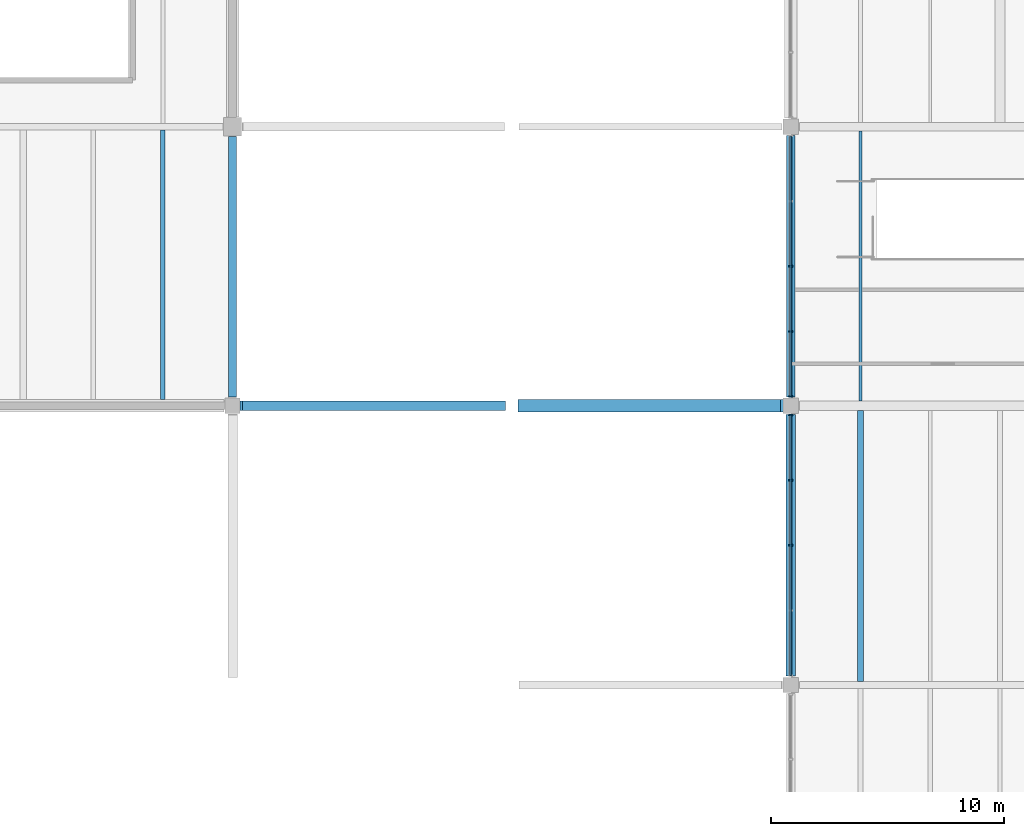
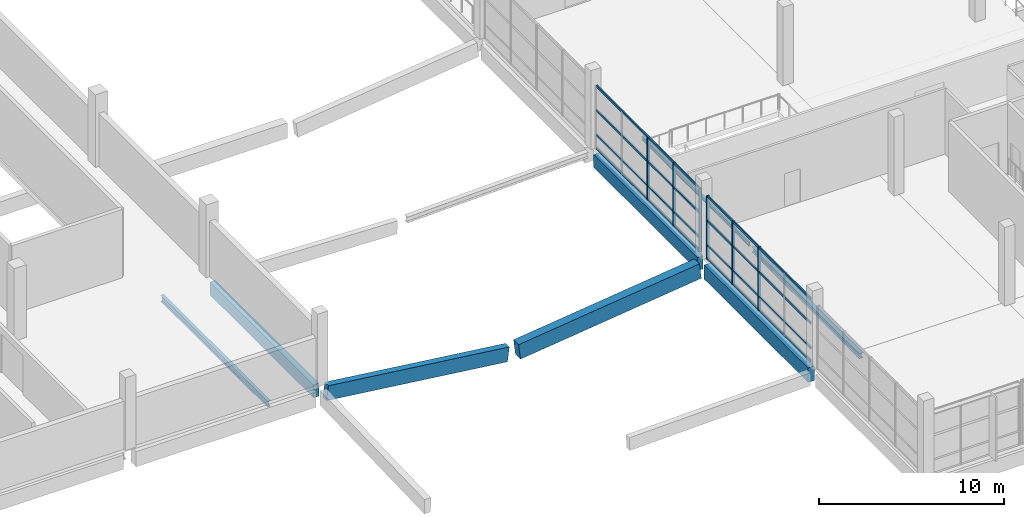
# One storey, part 18 of 112: 14 members, 8 beams, 2 elements without a shape of their own.
"""IFC4 building model written with IfcOpenShell, lengths in metres."""

from ifc_helpers import new_model, si_unit, direction, frame, origin, origin_2d, place, context, subcontext, project, spatial, rectangle, i_section, extrude, material, material_profile, profile_set, type_object, element, aggregate, save


model = new_model("IFC4")

# Units and contexts
model_context = context("Model", 3, precision=1e-05, world=origin(), true_north=direction((0.0, 1.0)))
body_context = subcontext(model_context, "Body", "Model", "MODEL_VIEW")
ifc_project = project(units=[si_unit("LENGTHUNIT", "METRE"), si_unit("AREAUNIT", "SQUARE_METRE"), si_unit("VOLUMEUNIT", "CUBIC_METRE"), si_unit("PLANEANGLEUNIT", "RADIAN"), si_unit("MASSUNIT", "GRAM", prefix="KILO")], contexts=[model_context])

# Site, building, storey
site_placement = place(None, origin())
site = spatial("IfcSite", under=ifc_project, at=site_placement, CompositionType="ELEMENT")
building_placement = place(site_placement, origin())
building = spatial("IfcBuilding", under=site, at=building_placement, Name="Kamomehara Wholesale Market", CompositionType="ELEMENT")
storey_placement = place(building_placement, frame((0.0, 0.0, 6.60009765625)))
storey = spatial("IfcBuildingStorey", under=building, at=storey_placement, Name="L01", CompositionType="ELEMENT", Elevation=6.60009765625)

# Beams
ifc_material_1 = material(Name="Concrete Fc36 (C35/45)", Category="concrete")
ifc_material_profile_1 = material_profile(ifc_material_1, rectangle(XDim=0.550048828125, YDim=1.0, at=origin_2d()), Name="RC-SEB-550x1000")
ifc_profile_set_1 = profile_set([ifc_material_profile_1], Name="Concrete Fc36 (C35/45)")
beam_type_1 = type_object("IfcBeamType", Name="BM-SEB1000-EXT", PredefinedType="SPANDREL", material=ifc_profile_set_1)
beam_1_placement = place(storey_placement, frame((48.324951171875, 36.0, -2.14599609375), z_axis=(0.992520407394, 0.0, 0.122078830707), x_axis=(0.0, 1.0, 0.0)))
element("IfcBeam", 1, at=beam_1_placement, inside=storey, type_object=beam_type_1, Name="Beam SEB-03E L01", PredefinedType="SPANDREL", context=body_context, shape_type="SweptSolid", body=[
    extrude(rectangle(XDim=0.550048828125, YDim=1.0, at=origin_2d()), origin(), (0.0, 0.0, 1.0), 11.38525390625),
])
ifc_material_2 = material(Name="Precast concrete Fc45 (C40/50)", Category="concrete")
ifc_material_profile_2 = material_profile(ifc_material_2, rectangle(XDim=0.35009765625, YDim=0.85009765625, at=origin_2d()), Name="PC-SPN-350x850")
ifc_profile_set_2 = profile_set([ifc_material_profile_2], Name="Precast concrete Fc45 (C40/50)")
beam_type_2 = type_object("IfcBeamType", Name="BM-SPN850-EXT", PredefinedType="SPANDREL", material=ifc_profile_set_2)
beam_2_placement = place(storey_placement, frame((36.0, 36.375, -0.76708984375), z_axis=(0.0, 1.0, 0.0), x_axis=(-1.0, 0.0, 0.0)))
element("IfcBeam", 2, at=beam_2_placement, inside=storey, type_object=beam_type_2, Name="Beam SPN-02E L01", PredefinedType="SPANDREL", context=body_context, shape_type="SweptSolid", body=[
    extrude(rectangle(XDim=0.35009765625, YDim=0.85009765625, at=origin_2d()), origin(), (0.0, 0.0, 1.0), 11.199951171875),
])
beam_3_placement = place(storey_placement, frame((60.0, 36.375, -0.76708984375), z_axis=(0.0, 1.0, 0.0), x_axis=(-1.0, 0.0, 0.0)))
element("IfcBeam", 3, at=beam_3_placement, inside=storey, type_object=beam_type_2, Name="Beam SPN-02E L01", PredefinedType="SPANDREL", context=body_context, shape_type="SweptSolid", body=[
    extrude(rectangle(XDim=0.35009765625, YDim=0.85009765625, at=origin_2d()), origin(), (0.0, 0.0, 1.0), 11.25),
])
ifc_material_3 = material(Name="Precast concrete Fc45 (C40/50)", Category="concrete")
ifc_material_profile_3 = material_profile(ifc_material_3, rectangle(XDim=0.39990234375, YDim=0.949951171875, at=origin_2d()), Name="PC-SPN-400x950")
ifc_profile_set_3 = profile_set([ifc_material_profile_3], Name="Precast concrete Fc45 (C40/50)")
beam_type_3 = type_object("IfcBeamType", Name="BM-SPN950-EXT", PredefinedType="SPANDREL", material=ifc_profile_set_3)
beam_4_placement = place(storey_placement, frame((60.0, 24.375, -0.817138671875), z_axis=(0.0, 1.0, 0.0), x_axis=(-1.0, 0.0, 0.0)))
element("IfcBeam", 4, at=beam_4_placement, inside=storey, type_object=beam_type_3, Name="Beam SPN-01E L01", PredefinedType="SPANDREL", context=body_context, shape_type="SweptSolid", body=[
    extrude(rectangle(XDim=0.39990234375, YDim=0.949951171875, at=origin_2d()), origin(), (0.0, 0.0, 1.0), 11.25),
])
beam_5_placement = place(storey_placement, frame((36.375, 36.0, -0.731201171875), z_axis=(0.992520407394, 0.0, -0.122078830707), x_axis=(0.0, 1.0, 0.0)))
element("IfcBeam", 5, at=beam_5_placement, inside=storey, type_object=beam_type_3, Name="Beam SPN-01E L01", PredefinedType="SPANDREL", context=body_context, shape_type="SweptSolid", body=[
    extrude(rectangle(XDim=0.39990234375, YDim=0.949951171875, at=origin_2d()), origin(), (0.0, 0.0, 1.0), 11.38525390625),
])
ifc_material_4 = material(Name="Steel SN400B", Category="steel")
ifc_material_profile_4 = material_profile(ifc_material_4, i_section(OverallWidth=0.125, OverallDepth=0.25, WebThickness=0.006103515625, FlangeThickness=0.009033203125, FilletRadius=0.008056640625, at=origin_2d()), Name="H-250x125x6x9")
ifc_profile_set_4 = profile_set([ifc_material_profile_4], Name="Steel SN400B")
beam_type_4 = type_object("IfcBeamType", Name="BM-ST-H250", PredefinedType="JOIST", material=ifc_profile_set_4)
beam_6_placement = place(storey_placement, frame((63.0, 36.199951171875, -0.467041015625), z_axis=(0.0, 1.0, 0.0), x_axis=(-1.0, 0.0, 0.0)))
element("IfcBeam", 6, at=beam_6_placement, inside=storey, type_object=beam_type_4, Name="Beam SJ-06 L01", PredefinedType="JOIST", context=body_context, shape_type="SweptSolid", body=[
    extrude(i_section(OverallWidth=0.125, OverallDepth=0.25, WebThickness=0.006103515625, FlangeThickness=0.009033203125, FilletRadius=0.008056640625, at=origin_2d()), origin(), (0.0, 0.0, 1.0), 11.625),
])
ifc_material_5 = material(Name="Steel SN490B", Category="steel")
ifc_material_profile_5 = material_profile(ifc_material_5, i_section(OverallWidth=0.25, OverallDepth=0.340087890625, WebThickness=0.009033203125, FlangeThickness=0.013916015625, FilletRadius=0.012939453125, at=origin_2d()), Name="H-340x250x9x14")
ifc_profile_set_5 = profile_set([ifc_material_profile_5], Name="Steel SN490B")
beam_type_5 = type_object("IfcBeamType", Name="BM-ST-H340", PredefinedType="JOIST", material=ifc_profile_set_5)
beam_7_placement = place(storey_placement, frame((63.0, 24.14990234375, -0.51220703125), z_axis=(0.0, 1.0, 0.0), x_axis=(-1.0, 0.0, 0.0)))
element("IfcBeam", 7, at=beam_7_placement, inside=storey, type_object=beam_type_5, Name="Beam SJ-08 L01", PredefinedType="JOIST", context=body_context, shape_type="SweptSolid", body=[
    extrude(i_section(OverallWidth=0.25, OverallDepth=0.340087890625, WebThickness=0.009033203125, FlangeThickness=0.013916015625, FilletRadius=0.012939453125, at=origin_2d()), origin(), (0.0, 0.0, 1.0), 11.650146484375),
])
ifc_material_6 = material(Name="Steel SN400B", Category="steel")
ifc_material_profile_6 = material_profile(ifc_material_6, i_section(OverallWidth=0.199951171875, OverallDepth=0.39990234375, WebThickness=0.008056640625, FlangeThickness=0.012939453125, FilletRadius=0.012939453125, at=origin_2d()), Name="H-400x200x8x13")
ifc_profile_set_6 = profile_set([ifc_material_profile_6], Name="Steel SN400B")
beam_type_6 = type_object("IfcBeamType", Name="BM-ST-H400", PredefinedType="JOIST", material=ifc_profile_set_6)
beam_8_placement = place(storey_placement, frame((33.0, 36.27490234375, -0.5419921875), z_axis=(0.0, 1.0, 0.0), x_axis=(-1.0, 0.0, 0.0)))
element("IfcBeam", 8, at=beam_8_placement, inside=storey, type_object=beam_type_6, Name="Beam SJ-02 L01", PredefinedType="JOIST", context=body_context, shape_type="SweptSolid", body=[
    extrude(i_section(OverallWidth=0.199951171875, OverallDepth=0.39990234375, WebThickness=0.008056640625, FlangeThickness=0.012939453125, FilletRadius=0.012939453125, at=origin_2d()), origin(), (0.0, 0.0, 1.0), 11.5751953125),
])

# Curtain wall, members
ifc_material_7 = material(Name="Anodised aluminium 6063-T5", Category="aluminium")
curtain_wall_type = type_object("IfcCurtainWallType", Name="CW-UN-06", PredefinedType="NOTDEFINED", material=ifc_material_7)
curtain_wall_1_placement = place(storey_placement, origin())
curtain_wall_1 = element("IfcCurtainWall", 9, at=curtain_wall_1_placement, inside=storey, type_object=curtain_wall_type, Name="Unitised curtain wall CW-130", PredefinedType="NOTDEFINED")
ifc_material_8 = material(Name="Anodised aluminium 6063-T5", Category="aluminium")
ifc_material_profile_7 = material_profile(ifc_material_8, rectangle(XDim=0.074951171875, YDim=0.179931640625, at=origin_2d()), Name="ALU-MUL-75x180")
ifc_profile_set_7 = profile_set([ifc_material_profile_7], Name="Anodised aluminium 6063-T5")
member_type_1 = type_object("IfcMemberType", Name="CW-MUL-180", PredefinedType="MULLION", material=ifc_profile_set_7)
member_1_placement = place(storey_placement, frame((60.0, 30.0, 0.0), z_axis=(0.0, 0.0, 1.0), x_axis=(0.0, 1.0, 0.0)))
member_1 = element("IfcMember", 10, at=member_1_placement, type_object=member_type_1, Name="Mullion CW-130.2", PredefinedType="MULLION", context=body_context, shape_type="SweptSolid", body=[
    extrude(rectangle(XDim=0.074951171875, YDim=0.179931640625, at=origin_2d()), origin(), (0.0, 0.0, 1.0), 4.179931640625),
])
member_2_placement = place(storey_placement, frame((60.0, 32.800048828125, 0.0), z_axis=(0.0, 0.0, 1.0), x_axis=(0.0, 1.0, 0.0)))
member_2 = element("IfcMember", 11, at=member_2_placement, type_object=member_type_1, Name="Mullion CW-130.3", PredefinedType="MULLION", context=body_context, shape_type="SweptSolid", body=[
    extrude(rectangle(XDim=0.074951171875, YDim=0.179931640625, at=origin_2d()), origin(), (0.0, 0.0, 1.0), 4.179931640625),
])
member_3_placement = place(storey_placement, frame((60.0, 35.60009765625, 0.0), z_axis=(0.0, 0.0, 1.0), x_axis=(0.0, 1.0, 0.0)))
member_3 = element("IfcMember", 12, at=member_3_placement, type_object=member_type_1, Name="Mullion CW-130.4", PredefinedType="MULLION", context=body_context, shape_type="SweptSolid", body=[
    extrude(rectangle(XDim=0.074951171875, YDim=0.179931640625, at=origin_2d()), origin(), (0.0, 0.0, 1.0), 4.179931640625),
])

curtain_wall_2_placement = place(storey_placement, origin())
curtain_wall_2 = element("IfcCurtainWall", 13, at=curtain_wall_2_placement, inside=storey, type_object=curtain_wall_type, Name="Unitised curtain wall CW-131", PredefinedType="NOTDEFINED")
member_4_placement = place(storey_placement, frame((60.0, 36.39990234375, 0.0), z_axis=(0.0, 0.0, 1.0), x_axis=(0.0, 1.0, 0.0)))
member_4 = element("IfcMember", 14, at=member_4_placement, type_object=member_type_1, Name="Mullion CW-131.0", PredefinedType="MULLION", context=body_context, shape_type="SweptSolid", body=[
    extrude(rectangle(XDim=0.074951171875, YDim=0.179931640625, at=origin_2d()), origin(), (0.0, 0.0, 1.0), 4.179931640625),
])
member_5_placement = place(storey_placement, frame((60.0, 39.199951171875, 0.0), z_axis=(0.0, 0.0, 1.0), x_axis=(0.0, 1.0, 0.0)))
member_5 = element("IfcMember", 15, at=member_5_placement, type_object=member_type_1, Name="Mullion CW-131.1", PredefinedType="MULLION", context=body_context, shape_type="SweptSolid", body=[
    extrude(rectangle(XDim=0.074951171875, YDim=0.179931640625, at=origin_2d()), origin(), (0.0, 0.0, 1.0), 4.179931640625),
])
member_6_placement = place(storey_placement, frame((60.0, 42.0, 0.0), z_axis=(0.0, 0.0, 1.0), x_axis=(0.0, 1.0, 0.0)))
member_6 = element("IfcMember", 16, at=member_6_placement, type_object=member_type_1, Name="Mullion CW-131.2", PredefinedType="MULLION", context=body_context, shape_type="SweptSolid", body=[
    extrude(rectangle(XDim=0.074951171875, YDim=0.179931640625, at=origin_2d()), origin(), (0.0, 0.0, 1.0), 4.179931640625),
])

# Member
ifc_material_9 = material(Name="Anodised aluminium 6063-T5", Category="aluminium")
ifc_material_profile_8 = material_profile(ifc_material_9, rectangle(XDim=0.074951171875, YDim=0.14990234375, at=origin_2d()), Name="ALU-TRN-75x150")
ifc_profile_set_8 = profile_set([ifc_material_profile_8], Name="Anodised aluminium 6063-T5")
member_type_2 = type_object("IfcMemberType", Name="CW-TRN-150", PredefinedType="USERDEFINED", material=ifc_profile_set_8)
member_7_placement = place(storey_placement, frame((60.0, 24.39990234375, 0.039794921875), z_axis=(0.0, 1.0, 0.0), x_axis=(-1.0, 0.0, 0.0)))
member_7 = element("IfcMember", 17, at=member_7_placement, type_object=member_type_2, Name="Transom CW-130.0", ObjectType="TRANSOM", PredefinedType="USERDEFINED", context=body_context, shape_type="SweptSolid", body=[
    extrude(rectangle(XDim=0.074951171875, YDim=0.14990234375, at=origin_2d()), origin(), (0.0, 0.0, 1.0), 11.2001953125),
])

member_8_placement = place(storey_placement, frame((60.0, 24.39990234375, 0.89990234375), z_axis=(0.0, 1.0, 0.0), x_axis=(-1.0, 0.0, 0.0)))
member_8 = element("IfcMember", 18, at=member_8_placement, type_object=member_type_2, Name="Transom CW-130.1", ObjectType="TRANSOM", PredefinedType="USERDEFINED", context=body_context, shape_type="SweptSolid", body=[
    extrude(rectangle(XDim=0.074951171875, YDim=0.14990234375, at=origin_2d()), origin(), (0.0, 0.0, 1.0), 11.2001953125),
])

member_9_placement = place(storey_placement, frame((60.0, 24.39990234375, 2.539794921875), z_axis=(0.0, 1.0, 0.0), x_axis=(-1.0, 0.0, 0.0)))
member_9 = element("IfcMember", 19, at=member_9_placement, type_object=member_type_2, Name="Transom CW-130.2", ObjectType="TRANSOM", PredefinedType="USERDEFINED", context=body_context, shape_type="SweptSolid", body=[
    extrude(rectangle(XDim=0.074951171875, YDim=0.14990234375, at=origin_2d()), origin(), (0.0, 0.0, 1.0), 11.2001953125),
])

member_10_placement = place(storey_placement, frame((60.0, 24.39990234375, 4.139892578125), z_axis=(0.0, 1.0, 0.0), x_axis=(-1.0, 0.0, 0.0)))
member_10 = element("IfcMember", 20, at=member_10_placement, type_object=member_type_2, Name="Transom CW-130.3", ObjectType="TRANSOM", PredefinedType="USERDEFINED", context=body_context, shape_type="SweptSolid", body=[
    extrude(rectangle(XDim=0.074951171875, YDim=0.14990234375, at=origin_2d()), origin(), (0.0, 0.0, 1.0), 11.2001953125),
])

aggregate(curtain_wall_1, [member_1, member_2, member_3, member_7, member_8, member_9, member_10])

member_11_placement = place(storey_placement, frame((60.0, 36.39990234375, 0.039794921875), z_axis=(0.0, 1.0, 0.0), x_axis=(-1.0, 0.0, 0.0)))
member_11 = element("IfcMember", 21, at=member_11_placement, type_object=member_type_2, Name="Transom CW-131.0", ObjectType="TRANSOM", PredefinedType="USERDEFINED", context=body_context, shape_type="SweptSolid", body=[
    extrude(rectangle(XDim=0.074951171875, YDim=0.14990234375, at=origin_2d()), origin(), (0.0, 0.0, 1.0), 11.2001953125),
])

member_12_placement = place(storey_placement, frame((60.0, 36.39990234375, 0.89990234375), z_axis=(0.0, 1.0, 0.0), x_axis=(-1.0, 0.0, 0.0)))
member_12 = element("IfcMember", 22, at=member_12_placement, type_object=member_type_2, Name="Transom CW-131.1", ObjectType="TRANSOM", PredefinedType="USERDEFINED", context=body_context, shape_type="SweptSolid", body=[
    extrude(rectangle(XDim=0.074951171875, YDim=0.14990234375, at=origin_2d()), origin(), (0.0, 0.0, 1.0), 11.2001953125),
])

member_13_placement = place(storey_placement, frame((60.0, 36.39990234375, 2.539794921875), z_axis=(0.0, 1.0, 0.0), x_axis=(-1.0, 0.0, 0.0)))
member_13 = element("IfcMember", 23, at=member_13_placement, type_object=member_type_2, Name="Transom CW-131.2", ObjectType="TRANSOM", PredefinedType="USERDEFINED", context=body_context, shape_type="SweptSolid", body=[
    extrude(rectangle(XDim=0.074951171875, YDim=0.14990234375, at=origin_2d()), origin(), (0.0, 0.0, 1.0), 11.2001953125),
])

member_14_placement = place(storey_placement, frame((60.0, 36.39990234375, 4.139892578125), z_axis=(0.0, 1.0, 0.0), x_axis=(-1.0, 0.0, 0.0)))
member_14 = element("IfcMember", 24, at=member_14_placement, type_object=member_type_2, Name="Transom CW-131.3", ObjectType="TRANSOM", PredefinedType="USERDEFINED", context=body_context, shape_type="SweptSolid", body=[
    extrude(rectangle(XDim=0.074951171875, YDim=0.14990234375, at=origin_2d()), origin(), (0.0, 0.0, 1.0), 11.2001953125),
])

aggregate(curtain_wall_2, [member_4, member_5, member_6, member_11, member_12, member_13, member_14])

save(model, "model.ifc")
